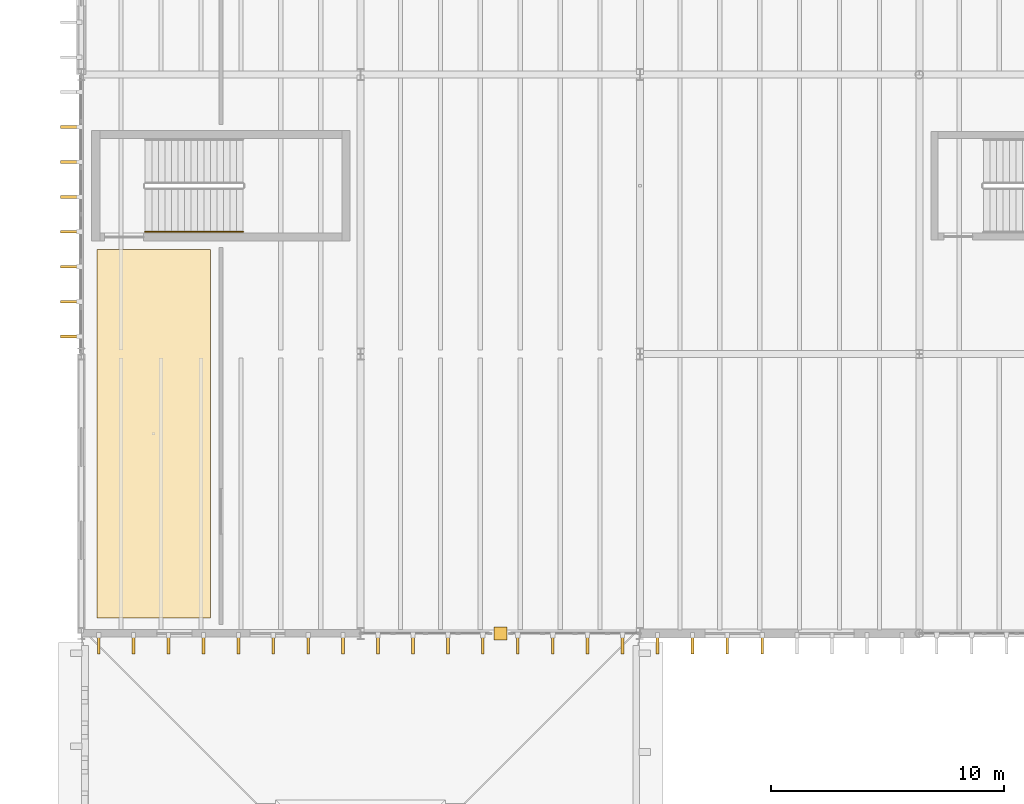
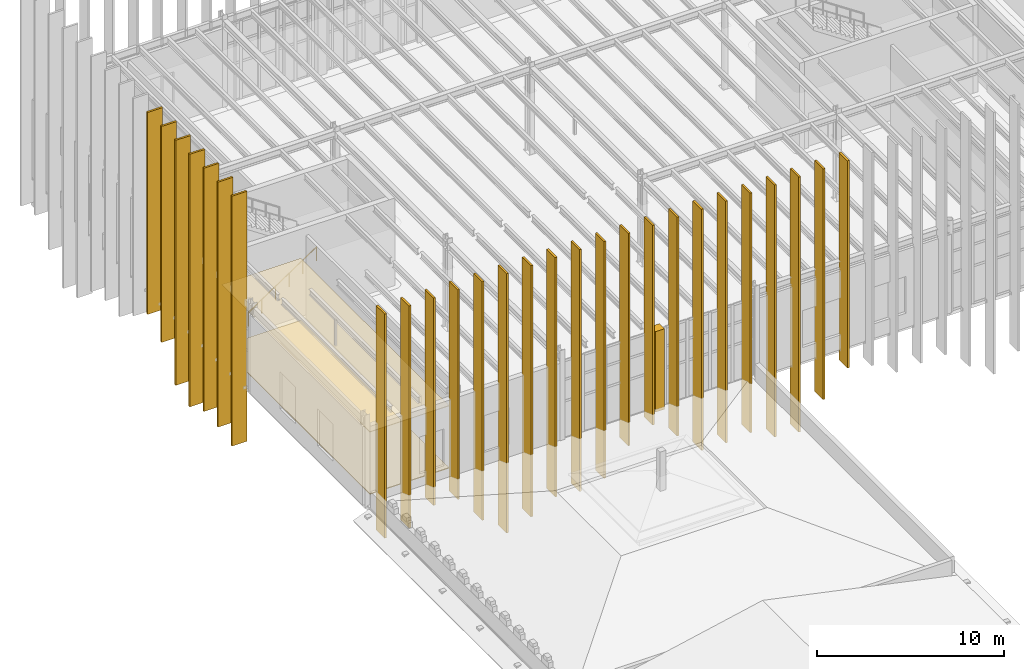
# One storey, part 61 of 83: 30 coverings, 1 railing.
"""IFC4 building model written with IfcOpenShell, lengths in metres."""

from ifc_helpers import new_model, si_unit, direction, frame, origin, origin_2d, place, context, subcontext, project, spatial, polyline, circle, outline, extrude, material, layer, layer_set, type_object, element, save


model = new_model("IFC4")

# Units and contexts
model_context = context("Model", 3, precision=1e-05, world=origin(), true_north=direction((0.0, 1.0)))
body_context = subcontext(model_context, "Body", "Model", "MODEL_VIEW")
ifc_project = project(units=[si_unit("LENGTHUNIT", "METRE"), si_unit("AREAUNIT", "SQUARE_METRE"), si_unit("VOLUMEUNIT", "CUBIC_METRE"), si_unit("PLANEANGLEUNIT", "RADIAN"), si_unit("MASSUNIT", "GRAM", prefix="KILO")], contexts=[model_context])

# Site, building, storey
site_placement = place(None, origin())
site = spatial("IfcSite", under=ifc_project, at=site_placement, CompositionType="ELEMENT")
building_placement = place(site_placement, origin())
building = spatial("IfcBuilding", under=site, at=building_placement, Name="Zlatogorsky Bluff Art Gallery", CompositionType="ELEMENT")
storey_placement = place(building_placement, frame((0.0, 0.0, 10.800048828125)))
storey = spatial("IfcBuildingStorey", under=building, at=storey_placement, Name="L02", CompositionType="ELEMENT", Elevation=10.800048828125)

# Coverings
ifc_material_1 = material(Name="Perforated Gypsum Acoustic Board", Category="gypsum")
ifc_layer_1 = layer(ifc_material_1, 0.0400390625)
ifc_layer_set_1 = layer_set([ifc_layer_1], Name="Acoustic Gallery Ceiling CLG-01")
covering_type_1 = type_object("IfcCoveringType", Name="Acoustic Gallery Ceiling CLG-01", PredefinedType="CEILING", material=ifc_layer_set_1)
covering_1_placement = place(storey_placement, frame((0.0, 0.0, 4.050048828125)))
element("IfcCovering", 1, at=covering_1_placement, inside=storey, type_object=covering_type_1, Name="Permanent Painting Gallery acoustic ceiling", PredefinedType="CEILING", context=body_context, shape_type="SweptSolid", body=[
    extrude(outline(polyline([(5.550048828125, 100.489990234375), (5.550048828125, 84.669921875), (0.669921875, 84.669921875), (0.669921875, 100.489990234375), (5.550048828125, 100.489990234375)])), origin(), (0.0, 0.0, 1.0), 0.039794921875),
])
ifc_material_2 = material(Name="Honed Red Agra-Tone Quartzitic Sandstone", Category="masonry")
ifc_layer_2 = layer(ifc_material_2, 0.1201171875)
ifc_layer_set_2 = layer_set([ifc_layer_2], Name="Carved Sandstone Cladding CLD-02")
covering_type_2 = type_object("IfcCoveringType", Name="Carved Sandstone Cladding CLD-02", PredefinedType="CLADDING", material=ifc_layer_set_2)
covering_2_placement = place(storey_placement, frame((0.0, 0.0, -0.030029296875)))
element("IfcCovering", 2, at=covering_2_placement, inside=storey, type_object=covering_type_2, Name="Mughal dalan central sandstone pier L02 S 1.8", PredefinedType="CLADDING", context=body_context, shape_type="SweptSolid", body=[
    extrude(outline(polyline([(17.719970703125, 83.719970703125), (18.280029296875, 83.719970703125), (18.280029296875, 84.280029296875), (17.719970703125, 84.280029296875), (17.719970703125, 83.719970703125)])), origin(), (0.0, 0.0, 1.0), 5.239990234375),
])

# Railing
ifc_material_3 = material(Name="Brushed Stainless Steel", Category="steel")
railing_type = type_object("IfcRailingType", Name="Stair Pitch Handrail 900mm", PredefinedType="HANDRAIL", material=ifc_material_3)
railing_placement = place(storey_placement, frame((2.75, 101.25, 0.1875)))
element("IfcRailing", 3, at=railing_placement, inside=storey, type_object=railing_type, Name="L02 ST-05 stair handrail 1", PredefinedType="HANDRAIL", context=body_context, shape_type="SweptSolid", body=[
    extrude(circle(Radius=0.02392578125, at=origin_2d()), frame((0.0, 0.0, 0.8759765625), z_axis=(0.830904186295, 0.0, 0.556415522067), x_axis=(0.0, 1.0, 0.0)), (0.0, 0.0, 1.0), 5.0546875),
    extrude(circle(Radius=0.02099609375, at=origin_2d()), origin(), (0.0, 0.0, 1.0), 0.851806640625),
    extrude(circle(Radius=0.02099609375, at=origin_2d()), frame((0.840087890625, 0.0, 0.5625)), (0.0, 0.0, 1.0), 0.851806640625),
    extrude(circle(Radius=0.02099609375, at=origin_2d()), frame((1.679931640625, 0.0, 1.125)), (0.0, 0.0, 1.0), 0.851806640625),
    extrude(circle(Radius=0.02099609375, at=origin_2d()), frame((2.52001953125, 0.0, 1.6875)), (0.0, 0.0, 1.0), 0.851806640625),
    extrude(circle(Radius=0.02099609375, at=origin_2d()), frame((3.35986328125, 0.0, 2.25)), (0.0, 0.0, 1.0), 0.851806640625),
    extrude(circle(Radius=0.02099609375, at=origin_2d()), frame((4.199951171875, 0.0, 2.8125)), (0.0, 0.0, 1.0), 0.851806640625),
])

# Coverings
ifc_material_4 = material(Name="Polished Ural Marble Terrazzo", Category="masonry")
ifc_layer_3 = layer(ifc_material_4, 0.050048828125)
ifc_layer_set_3 = layer_set([ifc_layer_3], Name="Terrazzo Gallery Flooring FLR-01")
covering_type_3 = type_object("IfcCoveringType", Name="Terrazzo Gallery Flooring FLR-01", PredefinedType="FLOORING", material=ifc_layer_set_3)
covering_3_placement = place(storey_placement, origin())
element("IfcCovering", 4, at=covering_3_placement, inside=storey, type_object=covering_type_3, Name="Permanent Painting Gallery terrazzo floor finish", PredefinedType="FLOORING", context=body_context, shape_type="SweptSolid", body=[
    extrude(outline(polyline([(5.550048828125, 100.489990234375), (5.550048828125, 84.669921875), (0.669921875, 84.669921875), (0.669921875, 100.489990234375), (5.550048828125, 100.489990234375)])), origin(), (0.0, 0.0, 1.0), 0.050048828125),
])
ifc_material_5 = material(Name="Patinated Architectural Bronze Fin", Category="metal")
ifc_layer_4 = layer(ifc_material_5, 0.110107421875)
ifc_layer_set_4 = layer_set([ifc_layer_4], Name="Vertical Gallery Fin FIN-01")
covering_type_4 = type_object("IfcCoveringType", Name="Vertical Gallery Fin FIN-01", PredefinedType="CLADDING", material=ifc_layer_set_4)
covering_4_placement = place(storey_placement, frame((0.0, 0.0, -1.9140625)))
element("IfcCovering", 5, at=covering_4_placement, inside=storey, type_object=covering_type_4, Name="Lifted gallery vertical bronze fin S.001", PredefinedType="CLADDING", context=body_context, shape_type="SweptSolid", body=[
    extrude(outline(polyline([(0.68994140625, 83.1201171875), (0.81005859375, 83.1201171875), (0.81005859375, 84.0400390625), (0.68994140625, 84.0400390625), (0.68994140625, 83.1201171875)])), origin(), (0.0, 0.0, 1.0), 14.593994140625),
])
covering_5_placement = place(storey_placement, frame((0.0, 0.0, -1.775146484375)))
element("IfcCovering", 6, at=covering_5_placement, inside=storey, type_object=covering_type_4, Name="Lifted gallery vertical bronze fin S.002", PredefinedType="CLADDING", context=body_context, shape_type="SweptSolid", body=[
    extrude(outline(polyline([(2.18994140625, 83.1201171875), (2.31005859375, 83.1201171875), (2.31005859375, 84.0400390625), (2.18994140625, 84.0400390625), (2.18994140625, 83.1201171875)])), origin(), (0.0, 0.0, 1.0), 14.455078125),
])
covering_6_placement = place(storey_placement, frame((0.0, 0.0, -0.8330078125)))
element("IfcCovering", 7, at=covering_6_placement, inside=storey, type_object=covering_type_4, Name="Lifted gallery vertical bronze fin S.003", PredefinedType="CLADDING", context=body_context, shape_type="SweptSolid", body=[
    extrude(outline(polyline([(3.68994140625, 83.1201171875), (3.81005859375, 83.1201171875), (3.81005859375, 84.0400390625), (3.68994140625, 84.0400390625), (3.68994140625, 83.1201171875)])), origin(), (0.0, 0.0, 1.0), 13.512939453125),
])
covering_7_placement = place(storey_placement, frame((0.0, 0.0, -0.97314453125)))
element("IfcCovering", 8, at=covering_7_placement, inside=storey, type_object=covering_type_4, Name="Lifted gallery vertical bronze fin S.004", PredefinedType="CLADDING", context=body_context, shape_type="SweptSolid", body=[
    extrude(outline(polyline([(5.18994140625, 83.1201171875), (5.31005859375, 83.1201171875), (5.31005859375, 84.0400390625), (5.18994140625, 84.0400390625), (5.18994140625, 83.1201171875)])), origin(), (0.0, 0.0, 1.0), 13.653076171875),
])
covering_8_placement = place(storey_placement, frame((0.0, 0.0, -2.85205078125)))
element("IfcCovering", 9, at=covering_8_placement, inside=storey, type_object=covering_type_4, Name="Lifted gallery vertical bronze fin S.005", PredefinedType="CLADDING", context=body_context, shape_type="SweptSolid", body=[
    extrude(outline(polyline([(6.68994140625, 83.1201171875), (6.81005859375, 83.1201171875), (6.81005859375, 84.0400390625), (6.68994140625, 84.0400390625), (6.68994140625, 83.1201171875)])), origin(), (0.0, 0.0, 1.0), 15.531982421875),
])
covering_9_placement = place(storey_placement, frame((0.0, 0.0, -4.2080078125)))
element("IfcCovering", 10, at=covering_9_placement, inside=storey, type_object=covering_type_4, Name="Lifted gallery vertical bronze fin S.006", PredefinedType="CLADDING", context=body_context, shape_type="SweptSolid", body=[
    extrude(outline(polyline([(8.18994140625, 83.1201171875), (8.31005859375, 83.1201171875), (8.31005859375, 84.0400390625), (8.18994140625, 84.0400390625), (8.18994140625, 83.1201171875)])), origin(), (0.0, 0.0, 1.0), 16.887939453125),
])
covering_10_placement = place(storey_placement, frame((0.0, 0.0, -3.675048828125)))
element("IfcCovering", 11, at=covering_10_placement, inside=storey, type_object=covering_type_4, Name="Lifted gallery vertical bronze fin S.007", PredefinedType="CLADDING", context=body_context, shape_type="SweptSolid", body=[
    extrude(outline(polyline([(9.68994140625, 83.1201171875), (9.81005859375, 83.1201171875), (9.81005859375, 84.0400390625), (9.68994140625, 84.0400390625), (9.68994140625, 83.1201171875)])), origin(), (0.0, 0.0, 1.0), 16.35498046875),
])
covering_11_placement = place(storey_placement, frame((0.0, 0.0, -2.906005859375)))
element("IfcCovering", 12, at=covering_11_placement, inside=storey, type_object=covering_type_4, Name="Lifted gallery vertical bronze fin S.008", PredefinedType="CLADDING", context=body_context, shape_type="SweptSolid", body=[
    extrude(outline(polyline([(11.18994140625, 83.1201171875), (11.31005859375, 83.1201171875), (11.31005859375, 84.0400390625), (11.18994140625, 84.0400390625), (11.18994140625, 83.1201171875)])), origin(), (0.0, 0.0, 1.0), 15.5859375),
])
covering_12_placement = place(storey_placement, frame((0.0, 0.0, -3.0830078125)))
element("IfcCovering", 13, at=covering_12_placement, inside=storey, type_object=covering_type_4, Name="Lifted gallery vertical bronze fin S.009", PredefinedType="CLADDING", context=body_context, shape_type="SweptSolid", body=[
    extrude(outline(polyline([(12.68994140625, 83.1201171875), (12.81005859375, 83.1201171875), (12.81005859375, 84.0400390625), (12.68994140625, 84.0400390625), (12.68994140625, 83.1201171875)])), origin(), (0.0, 0.0, 1.0), 15.762939453125),
])
covering_13_placement = place(storey_placement, frame((0.0, 0.0, -2.7509765625)))
element("IfcCovering", 14, at=covering_13_placement, inside=storey, type_object=covering_type_4, Name="Lifted gallery vertical bronze fin S.010", PredefinedType="CLADDING", context=body_context, shape_type="SweptSolid", body=[
    extrude(outline(polyline([(14.18994140625, 83.1201171875), (14.31005859375, 83.1201171875), (14.31005859375, 84.0400390625), (14.18994140625, 84.0400390625), (14.18994140625, 83.1201171875)])), origin(), (0.0, 0.0, 1.0), 15.430908203125),
])
covering_14_placement = place(storey_placement, frame((0.0, 0.0, -1.155029296875)))
element("IfcCovering", 15, at=covering_14_placement, inside=storey, type_object=covering_type_4, Name="Lifted gallery vertical bronze fin S.011", PredefinedType="CLADDING", context=body_context, shape_type="SweptSolid", body=[
    extrude(outline(polyline([(15.68994140625, 83.1201171875), (15.81005859375, 83.1201171875), (15.81005859375, 84.0400390625), (15.68994140625, 84.0400390625), (15.68994140625, 83.1201171875)])), origin(), (0.0, 0.0, 1.0), 13.8349609375),
])
covering_15_placement = place(storey_placement, frame((0.0, 0.0, -0.325927734375)))
element("IfcCovering", 16, at=covering_15_placement, inside=storey, type_object=covering_type_4, Name="Lifted gallery vertical bronze fin S.012", PredefinedType="CLADDING", context=body_context, shape_type="SweptSolid", body=[
    extrude(outline(polyline([(17.18994140625, 83.1201171875), (17.31005859375, 83.1201171875), (17.31005859375, 84.0400390625), (17.18994140625, 84.0400390625), (17.18994140625, 83.1201171875)])), origin(), (0.0, 0.0, 1.0), 13.005859375),
])
covering_16_placement = place(storey_placement, frame((0.0, 0.0, -1.568115234375)))
element("IfcCovering", 17, at=covering_16_placement, inside=storey, type_object=covering_type_4, Name="Lifted gallery vertical bronze fin S.013", PredefinedType="CLADDING", context=body_context, shape_type="SweptSolid", body=[
    extrude(outline(polyline([(18.68994140625, 83.1201171875), (18.81005859375, 83.1201171875), (18.81005859375, 84.0400390625), (18.68994140625, 84.0400390625), (18.68994140625, 83.1201171875)])), origin(), (0.0, 0.0, 1.0), 14.248046875),
])
covering_17_placement = place(storey_placement, frame((0.0, 0.0, -3.031005859375)))
element("IfcCovering", 18, at=covering_17_placement, inside=storey, type_object=covering_type_4, Name="Lifted gallery vertical bronze fin S.014", PredefinedType="CLADDING", context=body_context, shape_type="SweptSolid", body=[
    extrude(outline(polyline([(20.18994140625, 83.1201171875), (20.31005859375, 83.1201171875), (20.31005859375, 84.0400390625), (20.18994140625, 84.0400390625), (20.18994140625, 83.1201171875)])), origin(), (0.0, 0.0, 1.0), 15.7109375),
])
covering_18_placement = place(storey_placement, frame((0.0, 0.0, -3.067138671875)))
element("IfcCovering", 19, at=covering_18_placement, inside=storey, type_object=covering_type_4, Name="Lifted gallery vertical bronze fin S.015", PredefinedType="CLADDING", context=body_context, shape_type="SweptSolid", body=[
    extrude(outline(polyline([(21.68994140625, 83.1201171875), (21.81005859375, 83.1201171875), (21.81005859375, 84.0400390625), (21.68994140625, 84.0400390625), (21.68994140625, 83.1201171875)])), origin(), (0.0, 0.0, 1.0), 15.7470703125),
])
covering_19_placement = place(storey_placement, frame((0.0, 0.0, -2.924072265625)))
element("IfcCovering", 20, at=covering_19_placement, inside=storey, type_object=covering_type_4, Name="Lifted gallery vertical bronze fin S.016", PredefinedType="CLADDING", context=body_context, shape_type="SweptSolid", body=[
    extrude(outline(polyline([(23.18994140625, 83.1201171875), (23.31005859375, 83.1201171875), (23.31005859375, 84.0400390625), (23.18994140625, 84.0400390625), (23.18994140625, 83.1201171875)])), origin(), (0.0, 0.0, 1.0), 15.60400390625),
])
covering_20_placement = place(storey_placement, frame((0.0, 0.0, -3.733154296875)))
element("IfcCovering", 21, at=covering_20_placement, inside=storey, type_object=covering_type_4, Name="Lifted gallery vertical bronze fin S.017", PredefinedType="CLADDING", context=body_context, shape_type="SweptSolid", body=[
    extrude(outline(polyline([(24.68994140625, 83.1201171875), (24.81005859375, 83.1201171875), (24.81005859375, 84.0400390625), (24.68994140625, 84.0400390625), (24.68994140625, 83.1201171875)])), origin(), (0.0, 0.0, 1.0), 16.4130859375),
])
covering_21_placement = place(storey_placement, frame((0.0, 0.0, -3.93505859375)))
element("IfcCovering", 22, at=covering_21_placement, inside=storey, type_object=covering_type_4, Name="Lifted gallery vertical bronze fin S.018", PredefinedType="CLADDING", context=body_context, shape_type="SweptSolid", body=[
    extrude(outline(polyline([(26.18994140625, 83.1201171875), (26.31005859375, 83.1201171875), (26.31005859375, 84.0400390625), (26.18994140625, 84.0400390625), (26.18994140625, 83.1201171875)])), origin(), (0.0, 0.0, 1.0), 16.614990234375),
])
covering_22_placement = place(storey_placement, frame((0.0, 0.0, -2.341064453125)))
element("IfcCovering", 23, at=covering_22_placement, inside=storey, type_object=covering_type_4, Name="Lifted gallery vertical bronze fin S.019", PredefinedType="CLADDING", context=body_context, shape_type="SweptSolid", body=[
    extrude(outline(polyline([(27.68994140625, 83.1201171875), (27.81005859375, 83.1201171875), (27.81005859375, 84.0400390625), (27.68994140625, 84.0400390625), (27.68994140625, 83.1201171875)])), origin(), (0.0, 0.0, 1.0), 15.02099609375),
])
covering_23_placement = place(storey_placement, frame((0.0, 0.0, -0.819091796875)))
element("IfcCovering", 24, at=covering_23_placement, inside=storey, type_object=covering_type_4, Name="Lifted gallery vertical bronze fin S.020", PredefinedType="CLADDING", context=body_context, shape_type="SweptSolid", body=[
    extrude(outline(polyline([(29.18994140625, 83.1201171875), (29.31005859375, 83.1201171875), (29.31005859375, 84.0400390625), (29.18994140625, 84.0400390625), (29.18994140625, 83.1201171875)])), origin(), (0.0, 0.0, 1.0), 13.4990234375),
])
covering_24_placement = place(storey_placement, frame((0.0, 0.0, -3.59912109375)))
element("IfcCovering", 25, at=covering_24_placement, inside=storey, type_object=covering_type_4, Name="Lifted gallery vertical bronze fin W.144", PredefinedType="CLADDING", context=body_context, shape_type="SweptSolid", body=[
    extrude(outline(polyline([(-0.8798828125, 96.68994140625), (0.0400390625, 96.68994140625), (0.0400390625, 96.81005859375), (-0.8798828125, 96.81005859375), (-0.8798828125, 96.68994140625)])), origin(), (0.0, 0.0, 1.0), 16.279052734375),
])
covering_25_placement = place(storey_placement, frame((0.0, 0.0, -3.26708984375)))
element("IfcCovering", 26, at=covering_25_placement, inside=storey, type_object=covering_type_4, Name="Lifted gallery vertical bronze fin W.145", PredefinedType="CLADDING", context=body_context, shape_type="SweptSolid", body=[
    extrude(outline(polyline([(-0.8798828125, 98.18994140625), (0.0400390625, 98.18994140625), (0.0400390625, 98.31005859375), (-0.8798828125, 98.31005859375), (-0.8798828125, 98.18994140625)])), origin(), (0.0, 0.0, 1.0), 15.947021484375),
])
covering_26_placement = place(storey_placement, frame((0.0, 0.0, -3.162109375)))
element("IfcCovering", 27, at=covering_26_placement, inside=storey, type_object=covering_type_4, Name="Lifted gallery vertical bronze fin W.146", PredefinedType="CLADDING", context=body_context, shape_type="SweptSolid", body=[
    extrude(outline(polyline([(-0.8798828125, 99.68994140625), (0.0400390625, 99.68994140625), (0.0400390625, 99.81005859375), (-0.8798828125, 99.81005859375), (-0.8798828125, 99.68994140625)])), origin(), (0.0, 0.0, 1.0), 15.842041015625),
])
covering_27_placement = place(storey_placement, frame((0.0, 0.0, -3.77197265625)))
element("IfcCovering", 28, at=covering_27_placement, inside=storey, type_object=covering_type_4, Name="Lifted gallery vertical bronze fin W.147", PredefinedType="CLADDING", context=body_context, shape_type="SweptSolid", body=[
    extrude(outline(polyline([(-0.8798828125, 101.18994140625), (0.0400390625, 101.18994140625), (0.0400390625, 101.31005859375), (-0.8798828125, 101.31005859375), (-0.8798828125, 101.18994140625)])), origin(), (0.0, 0.0, 1.0), 16.451904296875),
])
covering_28_placement = place(storey_placement, frame((0.0, 0.0, -3.277099609375)))
element("IfcCovering", 29, at=covering_28_placement, inside=storey, type_object=covering_type_4, Name="Lifted gallery vertical bronze fin W.148", PredefinedType="CLADDING", context=body_context, shape_type="SweptSolid", body=[
    extrude(outline(polyline([(-0.8798828125, 102.68994140625), (0.0400390625, 102.68994140625), (0.0400390625, 102.81005859375), (-0.8798828125, 102.81005859375), (-0.8798828125, 102.68994140625)])), origin(), (0.0, 0.0, 1.0), 15.95703125),
])
covering_29_placement = place(storey_placement, frame((0.0, 0.0, -1.39404296875)))
element("IfcCovering", 30, at=covering_29_placement, inside=storey, type_object=covering_type_4, Name="Lifted gallery vertical bronze fin W.149", PredefinedType="CLADDING", context=body_context, shape_type="SweptSolid", body=[
    extrude(outline(polyline([(-0.8798828125, 104.18994140625), (0.0400390625, 104.18994140625), (0.0400390625, 104.31005859375), (-0.8798828125, 104.31005859375), (-0.8798828125, 104.18994140625)])), origin(), (0.0, 0.0, 1.0), 14.073974609375),
])
covering_30_placement = place(storey_placement, frame((0.0, 0.0, -0.48193359375)))
element("IfcCovering", 31, at=covering_30_placement, inside=storey, type_object=covering_type_4, Name="Lifted gallery vertical bronze fin W.150", PredefinedType="CLADDING", context=body_context, shape_type="SweptSolid", body=[
    extrude(outline(polyline([(-0.8798828125, 105.68994140625), (0.0400390625, 105.68994140625), (0.0400390625, 105.81005859375), (-0.8798828125, 105.81005859375), (-0.8798828125, 105.68994140625)])), origin(), (0.0, 0.0, 1.0), 13.161865234375),
])

save(model, "model.ifc")
